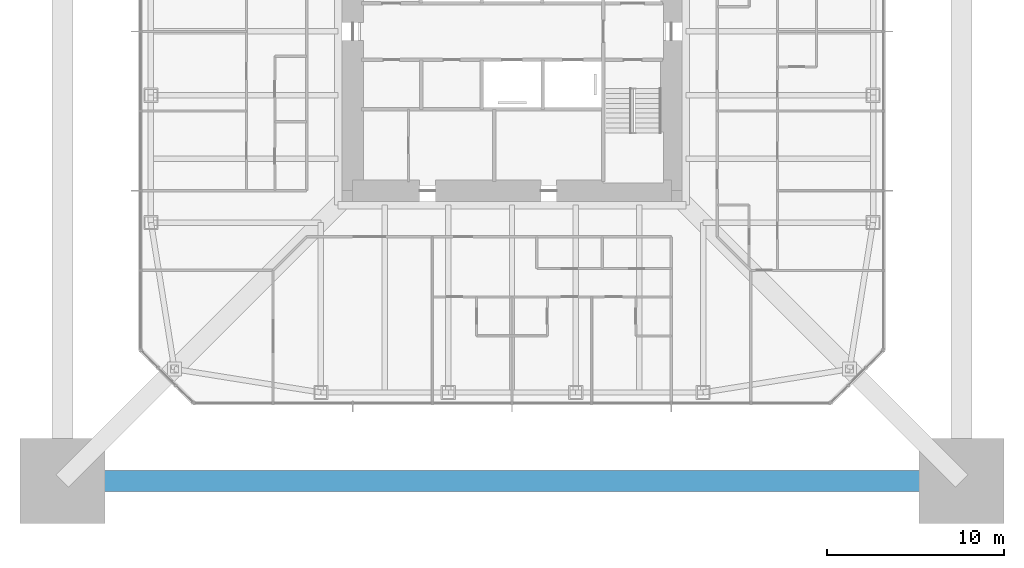
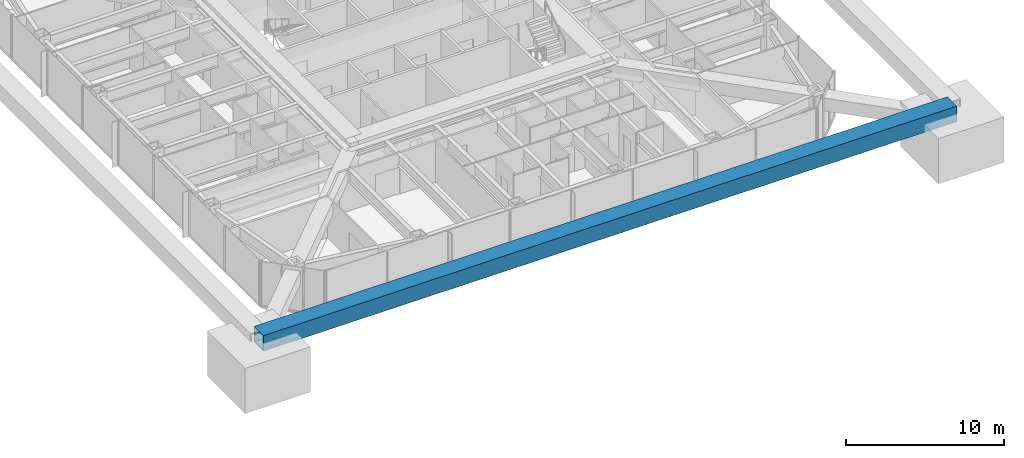
# One storey, part 3 of 20: 1 member.
"""IFC4 building model written with IfcOpenShell, lengths in metres."""

from ifc_helpers import new_model, si_unit, direction, frame, origin, origin_2d, place, context, subcontext, project, spatial, hollow_rectangle, extrude, material, material_profile, profile_set, type_object, element, save


model = new_model("IFC4")

# Units and contexts
model_context = context("Model", 3, precision=1e-05, world=origin(), true_north=direction((0.0, 1.0)))
body_context = subcontext(model_context, "Body", "Model", "MODEL_VIEW")
ifc_project = project(units=[si_unit("LENGTHUNIT", "METRE"), si_unit("AREAUNIT", "SQUARE_METRE"), si_unit("VOLUMEUNIT", "CUBIC_METRE"), si_unit("PLANEANGLEUNIT", "RADIAN"), si_unit("MASSUNIT", "GRAM", prefix="KILO")], contexts=[model_context])

# Site, building, storey
site_placement = place(None, origin())
site = spatial("IfcSite", under=ifc_project, at=site_placement, CompositionType="ELEMENT")
building_placement = place(site_placement, origin())
building = spatial("IfcBuilding", under=site, at=building_placement, Name="Iwan Alto Co-Living Towers", CompositionType="ELEMENT")
storey_placement = place(building_placement, frame((0.0, 0.0, 140.0)))
storey = spatial("IfcBuildingStorey", under=building, at=storey_placement, Name="L38", CompositionType="ELEMENT", Elevation=140.0)

# Member
ifc_material = material(Name="Steel ASTM A572 Gr 50", Category="steel")
ifc_material_profile = material_profile(ifc_material, hollow_rectangle(XDim=1.199951171875, YDim=1.199951171875, WallThickness=0.070068359375, at=origin_2d()), Name="BOX 1200X1200X70")
ifc_profile_set = profile_set([ifc_material_profile], Name="Steel ASTM A572 Gr 50")
member_type = type_object("IfcMemberType", Name="T1 MEGA BELT TIE BOX 1200X1200X70", PredefinedType="STRUT", material=ifc_profile_set)
member_placement = place(storey_placement, frame((-25.39990234375, -25.39990234375, 3.5), z_axis=(1.0, 0.0, 0.0), x_axis=(0.0, 1.0, 0.0)))
element("IfcMember", 1, at=member_placement, inside=storey, type_object=member_type, Name="T1 mega belt tie S L39", PredefinedType="STRUT", context=body_context, shape_type="SweptSolid", body=[
    extrude(hollow_rectangle(XDim=1.199951171875, YDim=1.199951171875, WallThickness=0.070068359375, at=origin_2d()), origin(), (0.0, 0.0, 1.0), 50.7998046875),
])

save(model, "model.ifc")
